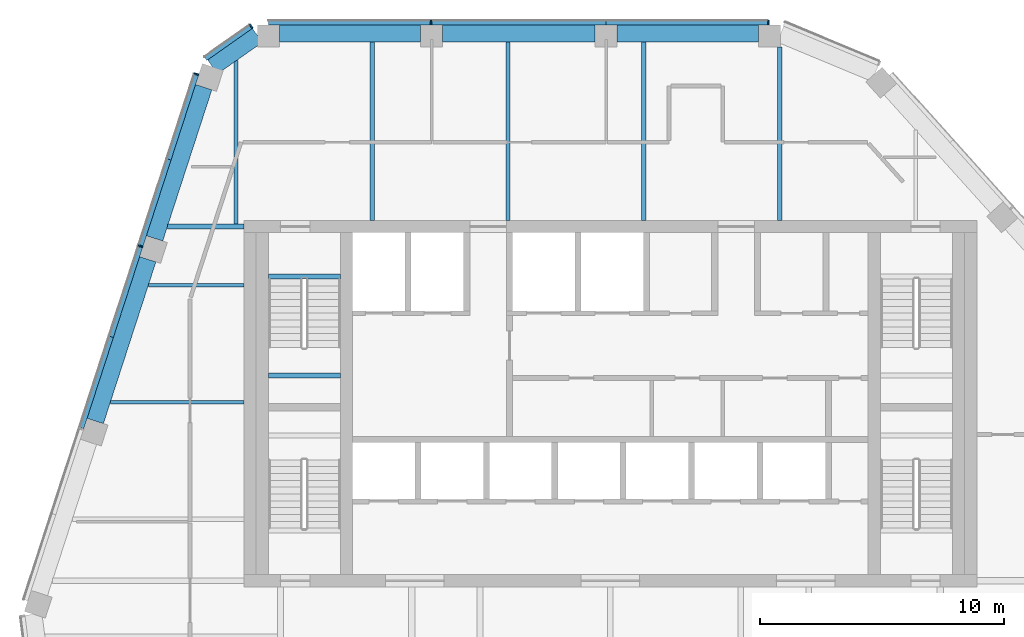
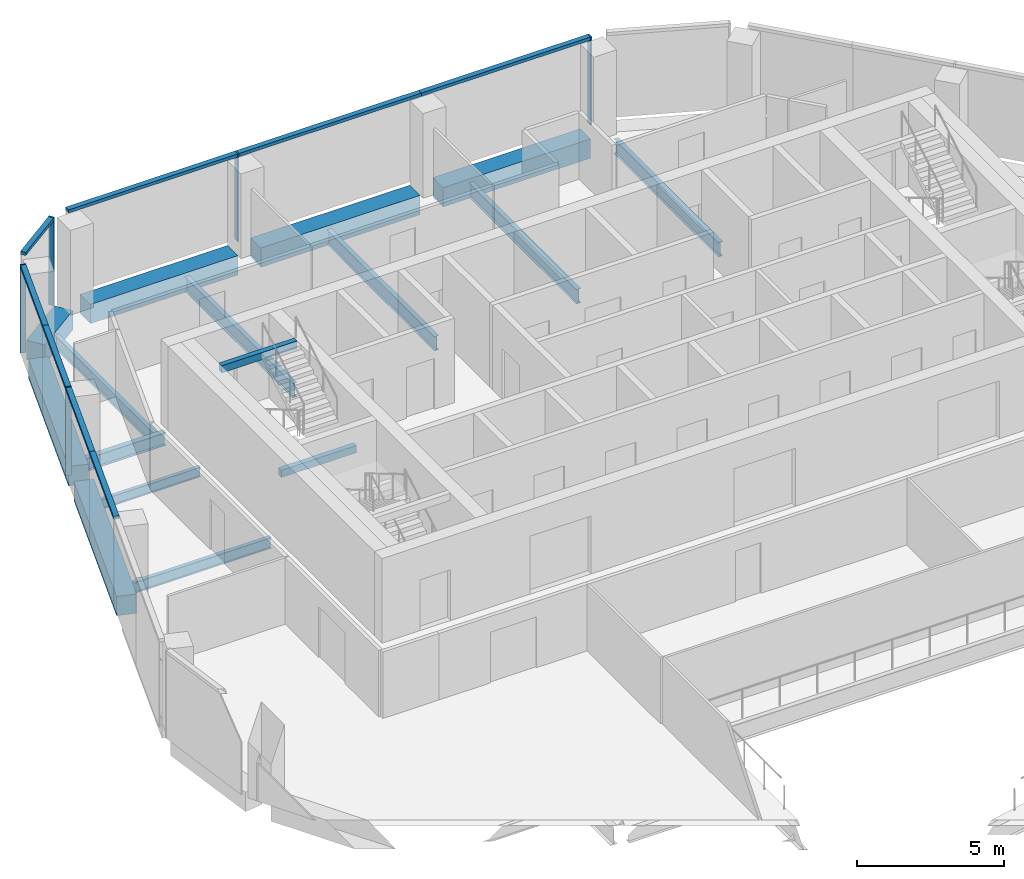
# One storey, part 5 of 15: 16 beams, 13 members, 3 elements without a shape of their own.
"""IFC4 building model written with IfcOpenShell, lengths in metres."""

import ifcopenshell
import ifcopenshell.guid

model = None  # the IFC model being written
_history = None  # IfcOwnerHistory: only IFC2X3 demands one
_inside = {}  # id of a spatial element -> (the spatial element, [elements in it])
_under = {}  # id of a project, library or spatial element -> (it, [spatial elements below it])
_declared = {}  # id of a project -> (the project, [libraries it declares])
_typed = {}  # id of a type object -> (the type object, [elements of that type])
_made_of = {}  # id of a material, layer set ... -> (it, [elements and type objects made of it])


def new_model(schema):
    """Start an empty IFC model of exactly this schema.

    Asked for "IFC4X3", IfcOpenShell would pick the latest addendum, in which some entities
    have other attributes; the version numbers below select the first issue.
    IFC2X3 requires an IfcOwnerHistory on every rooted entity: one is made here for all.
    """
    global model, _history
    if schema == "IFC4X3":
        model = ifcopenshell.file(schema_version=(4, 3, 0, 0))
    else:
        model = ifcopenshell.file(schema=schema)
    _inside.clear()
    _under.clear()
    _declared.clear()
    _typed.clear()
    _made_of.clear()
    _history = None
    if model.schema == "IFC2X3":
        org = make("IfcOrganization", Name="unknown")
        user = make(
            "IfcPersonAndOrganization",
            ThePerson=make("IfcPerson", FamilyName="unknown"),
            TheOrganization=org,
        )
        app = make(
            "IfcApplication",
            ApplicationDeveloper=org,
            Version="unknown",
            ApplicationFullName="unknown",
            ApplicationIdentifier="unknown",
        )
        _history = make(
            "IfcOwnerHistory",
            OwningUser=user,
            OwningApplication=app,
            ChangeAction="ADDED",
            CreationDate=0,
        )
    return model


def make(cls, **values):
    """One entity of the class cls with the attributes given. An attribute that is None is left unset."""
    return model.create_entity(
        cls, **{name: value for name, value in values.items() if value is not None}
    )


def rooted(cls, **values):
    """An entity with a GlobalId (a new one), such as an element, a storey or a relation."""
    return make(cls, GlobalId=ifcopenshell.guid.new(), OwnerHistory=_history, **values)


def si_unit(unit_type, name, prefix=None):
    """IfcSIUnit, for example si_unit("LENGTHUNIT", "METRE", prefix="MILLI")."""
    return make("IfcSIUnit", UnitType=unit_type, Prefix=prefix, Name=name)


def assignment(units):
    """IfcUnitAssignment: the units of a project."""
    return None if units is None else make("IfcUnitAssignment", Units=units)


def point(xyz):
    """IfcCartesianPoint."""
    return None if xyz is None else make("IfcCartesianPoint", Coordinates=xyz)


def direction(xyz):
    """IfcDirection."""
    return None if xyz is None else make("IfcDirection", DirectionRatios=xyz)


def frame(location, z_axis=None, x_axis=None):
    """IfcAxis2Placement3D, a coordinate frame: its origin and axes. An axis left out is left unset."""
    return make(
        "IfcAxis2Placement3D",
        Location=point(location),
        Axis=direction(z_axis),
        RefDirection=direction(x_axis),
    )


def frame_2d(location, x_axis=None):
    """IfcAxis2Placement2D, a coordinate frame in the plane: its origin and x axis."""
    return make(
        "IfcAxis2Placement2D", Location=point(location), RefDirection=direction(x_axis)
    )


def origin():
    """The frame at (0, 0, 0) with its axes left unset."""
    return frame((0.0, 0.0, 0.0))


def origin_2d():
    """The frame at (0, 0) in the plane with its x axis left unset."""
    return frame_2d((0.0, 0.0))


def place(relative_to, where):
    """IfcLocalPlacement: puts the frame where relative to a parent placement (None: the world)."""
    return make(
        "IfcLocalPlacement", PlacementRelTo=relative_to, RelativePlacement=where
    )


def context(
    kind, dimensions, precision=None, world=None, true_north=None, identifier=None
):
    """IfcGeometricRepresentationContext, for example the 3D "Model" context."""
    return make(
        "IfcGeometricRepresentationContext",
        ContextIdentifier=identifier,
        ContextType=kind,
        CoordinateSpaceDimension=dimensions,
        Precision=precision,
        WorldCoordinateSystem=world,
        TrueNorth=true_north,
    )


def subcontext(parent, identifier, kind, view, scale=None):
    """IfcGeometricRepresentationSubContext, for example "Body" below "Model"."""
    return make(
        "IfcGeometricRepresentationSubContext",
        ContextIdentifier=identifier,
        ContextType=kind,
        ParentContext=parent,
        TargetScale=scale,
        TargetView=view,
    )


def project(units=None, contexts=None):
    """IfcProject with its units and contexts."""
    return rooted(
        "IfcProject",
        Name="project",
        RepresentationContexts=contexts,
        UnitsInContext=assignment(units),
    )


def spatial(cls, under=None, at=None, **own):
    """A site, building, storey or space (cls), placed at a placement, below another one or the project."""
    s = rooted(cls, ObjectPlacement=at, **own)
    if under is not None:
        _under.setdefault(under.id(), (under, []))[1].append(s)
    return s


def profile(cls, at=None, kind="AREA", **sizes):
    """A parametric profile (cls). Its sizes go by their IFC names, for example OverallWidth=200.0."""
    return make(cls, ProfileType=kind, Position=at, **sizes)


def rectangle(**sizes):
    """IfcRectangleProfileDef."""
    return profile("IfcRectangleProfileDef", **sizes)


def i_section(**sizes):
    """IfcIShapeProfileDef."""
    return profile("IfcIShapeProfileDef", **sizes)


def extrude(swept, where, along, depth):
    """IfcExtrudedAreaSolid: the profile swept, set in the frame where, extruded along a direction by depth."""
    return make(
        "IfcExtrudedAreaSolid",
        SweptArea=swept,
        Position=where,
        ExtrudedDirection=direction(along),
        Depth=depth,
    )


def shape(context_of_items, identifier, shape_type, items):
    """IfcShapeRepresentation: the items that make up one representation, for example the "Body"."""
    return make(
        "IfcShapeRepresentation",
        ContextOfItems=context_of_items,
        RepresentationIdentifier=identifier,
        RepresentationType=shape_type,
        Items=items,
    )


def material(Name=None, Category=None):
    """IfcMaterial."""
    return make("IfcMaterial", Name=Name, Category=Category)


def layer(
    of_material, thickness, ventilated=None, Name=None, Category=None, Priority=None
):
    """IfcMaterialLayer: one layer of a wall or slab, of a material (None: an air gap)."""
    return make(
        "IfcMaterialLayer",
        Material=of_material,
        LayerThickness=thickness,
        IsVentilated=ventilated,
        Name=Name,
        Category=Category,
        Priority=Priority,
    )


def layer_set(layers, Name=None):
    """IfcMaterialLayerSet."""
    return make("IfcMaterialLayerSet", MaterialLayers=layers, LayerSetName=Name)


def material_profile(
    of_material, cross_section, Name=None, Category=None, Priority=None
):
    """IfcMaterialProfile: a cross section and its material."""
    return make(
        "IfcMaterialProfile",
        Name=Name,
        Material=of_material,
        Profile=cross_section,
        Priority=Priority,
        Category=Category,
    )


def profile_set(profiles, Name=None, composite=None):
    """IfcMaterialProfileSet."""
    return make(
        "IfcMaterialProfileSet",
        Name=Name,
        MaterialProfiles=profiles,
        CompositeProfile=composite,
    )


def made_of(thing, what):
    """Note that an element or type object is made of a material, layer set ...; save() writes the relation."""
    if what is not None:
        _made_of.setdefault(what.id(), (what, []))[1].append(thing)
    return thing


def type_object(cls, material=None, **own):
    """A type object (cls), such as IfcWallType, which elements share."""
    return made_of(rooted(cls, **own), material)


def element(
    cls,
    number,
    at=None,
    inside=None,
    cuts=None,
    type_object=None,
    material=None,
    context=None,
    identifier="Body",
    shape_type=None,
    held_by="IfcProductDefinitionShape",
    body=None,
    shapes=None,
    **own,
):
    """One element of the class cls, such as IfcWall. Its Tag is "e" and its number.

    at: its placement. inside: the storey or other place that contains it. cuts: it is an
    opening in that element (IfcRelVoidsElement). A single representation is given by context,
    identifier, shape_type and body (its items); several are given by shapes. held_by: the class
    of the entity that holds the representations. save() writes the other relations.
    """
    e = rooted(cls, Tag="e%d" % number, ObjectPlacement=at, **own)
    if body is not None:
        shapes = [shape(context, identifier, shape_type, body)]
    if shapes is not None:
        e.Representation = make(held_by, Representations=shapes)
    if inside is not None:
        _inside.setdefault(inside.id(), (inside, []))[1].append(e)
    if cuts is not None:
        rooted(
            "IfcRelVoidsElement", RelatingBuildingElement=cuts, RelatedOpeningElement=e
        )
    if type_object is not None:
        _typed.setdefault(type_object.id(), (type_object, []))[1].append(e)
    return made_of(e, material)


def aggregate(whole, parts):
    """IfcRelAggregates: a whole, such as a stair, and the parts it consists of."""
    return rooted("IfcRelAggregates", RelatingObject=whole, RelatedObjects=parts)


def save(model, path):
    """Write the relations noted so far, then the file.

    IfcRelAggregates (storeys below a building ...), IfcRelContainedInSpatialStructure (elements
    in a storey), IfcRelDefinesByType, IfcRelAssociatesMaterial and IfcRelDeclares: one each for
    every whole, place, type object, material and project.
    """
    for whole, parts in _under.values():
        aggregate(whole, parts)
    for where, things in _inside.values():
        rooted(
            "IfcRelContainedInSpatialStructure",
            RelatedElements=things,
            RelatingStructure=where,
        )
    for kind, things in _typed.values():
        rooted("IfcRelDefinesByType", RelatedObjects=things, RelatingType=kind)
    for what, things in _made_of.values():
        rooted("IfcRelAssociatesMaterial", RelatedObjects=things, RelatingMaterial=what)
    for by, libraries in _declared.values():
        rooted("IfcRelDeclares", RelatingContext=by, RelatedDefinitions=libraries)
    model.write(path)


model = new_model("IFC4")

# Units and contexts
model_context = context("Model", 3, precision=1e-05, world=origin(), true_north=direction((0.0, 1.0)))
body_context = subcontext(model_context, "Body", "Model", "MODEL_VIEW")
ifc_project = project(units=[si_unit("LENGTHUNIT", "METRE"), si_unit("AREAUNIT", "SQUARE_METRE"), si_unit("VOLUMEUNIT", "CUBIC_METRE"), si_unit("PLANEANGLEUNIT", "RADIAN"), si_unit("MASSUNIT", "GRAM", prefix="KILO")], contexts=[model_context])

# Site, building, storey
site_placement = place(None, origin())
site = spatial("IfcSite", under=ifc_project, at=site_placement, CompositionType="ELEMENT")
building_placement = place(site_placement, origin())
building = spatial("IfcBuilding", under=site, at=building_placement, Name="Isthmus Gate Tower", CompositionType="ELEMENT")
storey_placement = place(building_placement, frame((0.0, 0.0, 271.89990234375)))
storey = spatial("IfcBuildingStorey", under=building, at=storey_placement, Name="L69", CompositionType="ELEMENT", Elevation=271.89990234375)

# Curtain wall, members
ifc_material_1 = material(Name="Aluminium, pale champagne anodised", Category="aluminium")
ifc_layer = layer(ifc_material_1, 0.199951171875)
ifc_layer_set = layer_set([ifc_layer], Name="CW-1 UNITISED CURTAIN WALL 200 DEEP")
curtain_wall_type = type_object("IfcCurtainWallType", Name="CW-1 UNITISED CURTAIN WALL 200 DEEP", PredefinedType="NOTDEFINED", material=ifc_layer_set)
curtain_wall_1_placement = place(storey_placement, origin())
curtain_wall_1 = element("IfcCurtainWall", 1, at=curtain_wall_1_placement, inside=storey, type_object=curtain_wall_type, Name="CW-1 N L69", PredefinedType="NOTDEFINED")
ifc_material_2 = material(Name="Aluminium, pale champagne anodised", Category="aluminium")
ifc_material_profile_1 = material_profile(ifc_material_2, rectangle(XDim=0.06005859375, YDim=0.199951171875, at=origin_2d()), Name="60x200")
ifc_profile_set_1 = profile_set([ifc_material_profile_1], Name="Aluminium, pale champagne anodised")
member_type_1 = type_object("IfcMemberType", Name="CW-1 MULLION 60 X 200", PredefinedType="MULLION", material=ifc_profile_set_1)
member_1_placement = place(storey_placement, frame((6.4794921875, 23.10009765625, 0.0), z_axis=(0.0, 0.0, 1.0), x_axis=(-1.0, 0.0, 0.0)))
member_1 = element("IfcMember", 2, at=member_1_placement, type_object=member_type_1, Name="CW-1 mullion", PredefinedType="MULLION", context=body_context, shape_type="SweptSolid", body=[
    extrude(rectangle(XDim=0.06005859375, YDim=0.199951171875, at=origin_2d()), origin(), (0.0, 0.0, 1.0), 3.650146484375),
])
member_2_placement = place(storey_placement, frame((-7.339599609375, 23.10009765625, 0.0), z_axis=(0.0, 0.0, 1.0), x_axis=(-1.0, 0.0, 0.0)))
member_2 = element("IfcMember", 3, at=member_2_placement, type_object=member_type_1, Name="CW-1 mullion", PredefinedType="MULLION", context=body_context, shape_type="SweptSolid", body=[
    extrude(rectangle(XDim=0.06005859375, YDim=0.199951171875, at=origin_2d()), origin(), (0.0, 0.0, 1.0), 3.650146484375),
])

# Curtain wall, member
curtain_wall_2_placement = place(storey_placement, origin())
curtain_wall_2 = element("IfcCurtainWall", 4, at=curtain_wall_2_placement, inside=storey, type_object=curtain_wall_type, Name="CW-1 N-NW L69", PredefinedType="NOTDEFINED")
member_3_placement = place(storey_placement, frame((-14.69873046875, 22.943115234375, 0.0), z_axis=(0.0, 0.0, 1.0), x_axis=(-0.81785959165, -0.57541783805, 0.0)))
member_3 = element("IfcMember", 5, at=member_3_placement, type_object=member_type_1, Name="CW-1 mullion", PredefinedType="MULLION", context=body_context, shape_type="SweptSolid", body=[
    extrude(rectangle(XDim=0.06005859375, YDim=0.199951171875, at=origin_2d()), origin(), (0.0, 0.0, 1.0), 3.650146484375),
])

# Curtain wall, members
curtain_wall_3_placement = place(storey_placement, origin())
curtain_wall_3 = element("IfcCurtainWall", 6, at=curtain_wall_3_placement, inside=storey, type_object=curtain_wall_type, Name="CW-1 NW L69", PredefinedType="NOTDEFINED")
member_4_placement = place(storey_placement, frame((-16.9404296875, 20.9892578125, 0.0), z_axis=(0.0, 0.0, 1.0), x_axis=(-0.309016994375, -0.951056516295, 0.0)))
member_4 = element("IfcMember", 7, at=member_4_placement, type_object=member_type_1, Name="CW-1 mullion", PredefinedType="MULLION", context=body_context, shape_type="SweptSolid", body=[
    extrude(rectangle(XDim=0.06005859375, YDim=0.199951171875, at=origin_2d()), origin(), (0.0, 0.0, 1.0), 3.650146484375),
])
member_5_placement = place(storey_placement, frame((-19.229248046875, 13.945068359375, 0.0), z_axis=(0.0, 0.0, 1.0), x_axis=(-0.309016994375, -0.951056516295, 0.0)))
member_5 = element("IfcMember", 8, at=member_5_placement, type_object=member_type_1, Name="CW-1 mullion", PredefinedType="MULLION", context=body_context, shape_type="SweptSolid", body=[
    extrude(rectangle(XDim=0.06005859375, YDim=0.199951171875, at=origin_2d()), origin(), (0.0, 0.0, 1.0), 3.650146484375),
])

# Member
ifc_material_3 = material(Name="Aluminium, pale champagne anodised", Category="aluminium")
ifc_material_profile_2 = material_profile(ifc_material_3, rectangle(XDim=0.199951171875, YDim=0.1298828125, at=origin_2d()), Name="200x130")
ifc_profile_set_2 = profile_set([ifc_material_profile_2], Name="Aluminium, pale champagne anodised")
member_type_2 = type_object("IfcMemberType", Name="CW-1 TRANSOM 200 X 130", PredefinedType="USERDEFINED", material=ifc_profile_set_2)
member_6_placement = place(storey_placement, frame((6.449462890625, 23.10009765625, 3.585205078125), z_axis=(-1.0, 0.0, 0.0), x_axis=(0.0, -1.0, 0.0)))
member_6 = element("IfcMember", 9, at=member_6_placement, type_object=member_type_2, Name="CW-1 transom", ObjectType="TRANSOM", PredefinedType="USERDEFINED", context=body_context, shape_type="SweptSolid", body=[
    extrude(rectangle(XDim=0.199951171875, YDim=0.1298828125, at=origin_2d()), origin(), (0.0, 0.0, 1.0), 6.62451171875),
])

member_7_placement = place(storey_placement, frame((-0.175048828125, 23.10009765625, 3.585205078125), z_axis=(-1.0, 0.0, 0.0), x_axis=(0.0, -1.0, 0.0)))
member_7 = element("IfcMember", 10, at=member_7_placement, type_object=member_type_2, Name="CW-1 transom", ObjectType="TRANSOM", PredefinedType="USERDEFINED", context=body_context, shape_type="SweptSolid", body=[
    extrude(rectangle(XDim=0.199951171875, YDim=0.1298828125, at=origin_2d()), origin(), (0.0, 0.0, 1.0), 7.134521484375),
])

member_8_placement = place(storey_placement, frame((-7.36962890625, 23.10009765625, 3.585205078125), z_axis=(-1.0, 0.0, 0.0), x_axis=(0.0, -1.0, 0.0)))
member_8 = element("IfcMember", 11, at=member_8_placement, type_object=member_type_2, Name="CW-1 transom", ObjectType="TRANSOM", PredefinedType="USERDEFINED", context=body_context, shape_type="SweptSolid", body=[
    extrude(rectangle(XDim=0.199951171875, YDim=0.1298828125, at=origin_2d()), origin(), (0.0, 0.0, 1.0), 6.62451171875),
])

aggregate(curtain_wall_1, [member_1, member_6, member_7, member_2, member_8])

member_9_placement = place(storey_placement, frame((-14.723388671875, 22.92578125, 3.585205078125), z_axis=(-0.817868595604, -0.575405040233, 0.0), x_axis=(0.575405040233, -0.817868595604, 0.0)))
member_9 = element("IfcMember", 12, at=member_9_placement, type_object=member_type_2, Name="CW-1 transom", ObjectType="TRANSOM", PredefinedType="USERDEFINED", context=body_context, shape_type="SweptSolid", body=[
    extrude(rectangle(XDim=0.199951171875, YDim=0.1298828125, at=origin_2d()), origin(), (0.0, 0.0, 1.0), 2.258544921875),
])

aggregate(curtain_wall_2, [member_3, member_9])

member_10_placement = place(storey_placement, frame((-16.94970703125, 20.960693359375, 3.585205078125), z_axis=(-0.30904213216, -0.951048348166, 0.0), x_axis=(0.951048348166, -0.30904213216, 0.0)))
member_10 = element("IfcMember", 13, at=member_10_placement, type_object=member_type_2, Name="CW-1 transom", ObjectType="TRANSOM", PredefinedType="USERDEFINED", context=body_context, shape_type="SweptSolid", body=[
    extrude(rectangle(XDim=0.199951171875, YDim=0.1298828125, at=origin_2d()), origin(), (0.0, 0.0, 1.0), 3.6435546875),
])

member_11_placement = place(storey_placement, frame((-18.07568359375, 17.49560546875, 3.585205078125), z_axis=(-0.308999609488, -0.951062164812, 0.0), x_axis=(0.951062164812, -0.308999609488, 0.0)))
member_11 = element("IfcMember", 14, at=member_11_placement, type_object=member_type_2, Name="CW-1 transom", ObjectType="TRANSOM", PredefinedType="USERDEFINED", context=body_context, shape_type="SweptSolid", body=[
    extrude(rectangle(XDim=0.199951171875, YDim=0.1298828125, at=origin_2d()), origin(), (0.0, 0.0, 1.0), 3.703125),
])

member_12_placement = place(storey_placement, frame((-19.238525390625, 13.91650390625, 3.585205078125), z_axis=(-0.309061811928, -0.951041953022, 0.0), x_axis=(0.951041953022, -0.309061811928, 0.0)))
member_12 = element("IfcMember", 15, at=member_12_placement, type_object=member_type_2, Name="CW-1 transom", ObjectType="TRANSOM", PredefinedType="USERDEFINED", context=body_context, shape_type="SweptSolid", body=[
    extrude(rectangle(XDim=0.199951171875, YDim=0.1298828125, at=origin_2d()), origin(), (0.0, 0.0, 1.0), 3.868408203125),
])

member_13_placement = place(storey_placement, frame((-20.43408203125, 10.237548828125, 3.585205078125), z_axis=(-0.308984896154, -0.951066945041, 0.0), x_axis=(0.951066945041, -0.308984896154, 0.0)))
member_13 = element("IfcMember", 16, at=member_13_placement, type_object=member_type_2, Name="CW-1 transom", ObjectType="TRANSOM", PredefinedType="USERDEFINED", context=body_context, shape_type="SweptSolid", body=[
    extrude(rectangle(XDim=0.199951171875, YDim=0.1298828125, at=origin_2d()), origin(), (0.0, 0.0, 1.0), 3.928466796875),
])

aggregate(curtain_wall_3, [member_4, member_10, member_11, member_5, member_12, member_13])

# Beams
ifc_material_4 = material(Name="Concrete f'c 50 MPa", Category="concrete")
ifc_material_profile_3 = material_profile(ifc_material_4, rectangle(XDim=0.699951171875, YDim=0.800048828125, at=origin_2d()), Name="RC 700X800")
ifc_profile_set_3 = profile_set([ifc_material_profile_3], Name="Concrete f'c 50 MPa")
beam_type_1 = type_object("IfcBeamType", Name="RC SPANDREL 700 X 800", PredefinedType="SPANDREL", material=ifc_profile_set_3)
beam_1_placement = place(storey_placement, frame((-21.080810546875, 6.790283203125, -0.39990234375), z_axis=(0.309006716915, 0.951059855583, 0.0), x_axis=(-0.951059855583, 0.309006716915, 0.0)))
element("IfcBeam", 17, at=beam_1_placement, inside=storey, type_object=beam_type_1, Name="str-spandrel-L69-18", PredefinedType="SPANDREL", context=body_context, shape_type="SweptSolid", body=[
    extrude(rectangle(XDim=0.699951171875, YDim=0.800048828125, at=origin_2d()), origin(), (0.0, 0.0, 1.0), 6.956787109375),
])
beam_2_placement = place(storey_placement, frame((-18.653076171875, 14.262451171875, -0.39990234375), z_axis=(0.30901480678, 0.951057227085, 0.0), x_axis=(-0.951057227085, 0.30901480678, 0.0)))
element("IfcBeam", 18, at=beam_2_placement, inside=storey, type_object=beam_type_1, Name="str-spandrel-L69-19", PredefinedType="SPANDREL", context=body_context, shape_type="SweptSolid", body=[
    extrude(rectangle(XDim=0.699951171875, YDim=0.800048828125, at=origin_2d()), origin(), (0.0, 0.0, 1.0), 6.5068359375),
])
beam_3_placement = place(storey_placement, frame((-16.281005859375, 21.27978515625, -0.39990234375), z_axis=(0.817891678431, 0.57537222939, 0.0), x_axis=(-0.57537222939, 0.817891678431, 0.0)))
element("IfcBeam", 19, at=beam_3_placement, inside=storey, type_object=beam_type_1, Name="str-spandrel-L69-20", PredefinedType="SPANDREL", context=body_context, shape_type="SweptSolid", body=[
    extrude(rectangle(XDim=0.699951171875, YDim=0.800048828125, at=origin_2d()), origin(), (0.0, 0.0, 1.0), 2.245849609375),
])
beam_4_placement = place(storey_placement, frame((-13.544189453125, 22.64990234375, -0.39990234375), z_axis=(1.0, 0.0, 0.0), x_axis=(0.0, 1.0, 0.0)))
element("IfcBeam", 20, at=beam_4_placement, inside=storey, type_object=beam_type_1, Name="str-spandrel-L69-21", PredefinedType="SPANDREL", context=body_context, shape_type="SweptSolid", body=[
    extrude(rectangle(XDim=0.699951171875, YDim=0.800048828125, at=origin_2d()), origin(), (0.0, 0.0, 1.0), 5.78466796875),
])
beam_5_placement = place(storey_placement, frame((-6.859619140625, 22.64990234375, -0.39990234375), z_axis=(1.0, 0.0, 0.0), x_axis=(0.0, 1.0, 0.0)))
element("IfcBeam", 21, at=beam_5_placement, inside=storey, type_object=beam_type_1, Name="str-spandrel-L69-22", PredefinedType="SPANDREL", context=body_context, shape_type="SweptSolid", body=[
    extrude(rectangle(XDim=0.699951171875, YDim=0.800048828125, at=origin_2d()), origin(), (0.0, 0.0, 1.0), 6.234619140625),
])
beam_6_placement = place(storey_placement, frame((0.27490234375, 22.64990234375, -0.39990234375), z_axis=(1.0, 0.0, 0.0), x_axis=(0.0, 1.0, 0.0)))
element("IfcBeam", 22, at=beam_6_placement, inside=storey, type_object=beam_type_1, Name="str-spandrel-L69-23", PredefinedType="SPANDREL", context=body_context, shape_type="SweptSolid", body=[
    extrude(rectangle(XDim=0.699951171875, YDim=0.800048828125, at=origin_2d()), origin(), (0.0, 0.0, 1.0), 5.784423828125),
])
ifc_material_5 = material(Name="Concrete f'c 40 MPa", Category="concrete")
ifc_material_profile_4 = material_profile(ifc_material_5, rectangle(XDim=0.199951171875, YDim=0.300048828125, at=origin_2d()), Name="STAIR LANDING BEAM RC 200 X 300")
ifc_profile_set_4 = profile_set([ifc_material_profile_4], Name="Concrete f'c 40 MPa")
beam_type_2 = type_object("IfcBeamType", Name="STAIR LANDING BEAM RC 200 X 300", PredefinedType="BEAM", material=ifc_profile_set_4)
for number, where, z_axis, x_axis, name in (
    (23, (-14.0, 8.64990234375, 1.47509765625), (1.0, 0.0, 0.0), (0.0, 1.0, 0.0), "L69 ST1 landing beam 1"),
    (24, (-14.0, 12.7001953125, 3.35009765625), (1.0, 0.0, 0.0), (0.0, 1.0, 0.0), "L69 ST1 floor-edge seat beam"),
):
    element("IfcBeam", number, at=place(storey_placement, frame(where, z_axis=z_axis, x_axis=x_axis)), inside=storey, type_object=beam_type_2, Name=name, PredefinedType="BEAM", context=body_context, shape_type="SweptSolid", body=[
        extrude(rectangle(XDim=0.199951171875, YDim=0.300048828125, at=origin_2d()), origin(), (0.0, 0.0, 1.0), 2.949951171875),
    ])
ifc_material_6 = material(Name="Structural steel ASTM A992 Gr 50", Category="steel")
ifc_material_profile_5 = material_profile(ifc_material_6, i_section(OverallWidth=0.1396484375, OverallDepth=0.4033203125, WebThickness=0.00634765625, FlangeThickness=0.010986328125, at=origin_2d()), Name="W16X31")
ifc_profile_set_5 = profile_set([ifc_material_profile_5], Name="Structural steel ASTM A992 Gr 50")
beam_type_3 = type_object("IfcBeamType", Name="STEEL FLOOR BEAM W16X31", PredefinedType="JOIST", material=ifc_profile_set_5)
beam_7_placement = place(storey_placement, frame((-18.905517578125, 12.352294921875, -0.3515625), z_axis=(1.0, 0.0, 0.0), x_axis=(0.0, 1.0, 0.0)))
element("IfcBeam", 25, at=beam_7_placement, inside=storey, type_object=beam_type_3, Name="str-beam-L69-00-02", PredefinedType="JOIST", context=body_context, shape_type="SweptSolid", body=[
    extrude(i_section(OverallWidth=0.1396484375, OverallDepth=0.4033203125, WebThickness=0.00634765625, FlangeThickness=0.010986328125, at=origin_2d()), origin(), (0.0, 0.0, 1.0), 3.905517578125),
])
ifc_material_7 = material(Name="Structural steel ASTM A992 Gr 50", Category="steel")
ifc_material_profile_6 = material_profile(ifc_material_7, i_section(OverallWidth=0.15234375, OverallDepth=0.45068359375, WebThickness=0.0078125, FlangeThickness=0.010986328125, at=origin_2d()), Name="W18X35")
ifc_profile_set_6 = profile_set([ifc_material_profile_6], Name="Structural steel ASTM A992 Gr 50")
beam_type_4 = type_object("IfcBeamType", Name="STEEL FLOOR BEAM W18X35", PredefinedType="JOIST", material=ifc_profile_set_6)
beam_8_placement = place(storey_placement, frame((-20.463623046875, 7.55712890625, -0.375244140625), z_axis=(1.0, 0.0, 0.0), x_axis=(0.0, 1.0, 0.0)))
element("IfcBeam", 26, at=beam_8_placement, inside=storey, type_object=beam_type_4, Name="str-beam-L69-00-01", PredefinedType="JOIST", context=body_context, shape_type="SweptSolid", body=[
    extrude(i_section(OverallWidth=0.15234375, OverallDepth=0.45068359375, WebThickness=0.0078125, FlangeThickness=0.010986328125, at=origin_2d()), origin(), (0.0, 0.0, 1.0), 5.463623046875),
])
ifc_material_8 = material(Name="Structural steel ASTM A992 Gr 50", Category="steel")
ifc_material_profile_7 = material_profile(ifc_material_8, i_section(OverallWidth=0.1650390625, OverallDepth=0.52392578125, WebThickness=0.009521484375, FlangeThickness=0.010986328125, at=origin_2d()), Name="W21X44")
ifc_profile_set_7 = profile_set([ifc_material_profile_7], Name="Structural steel ASTM A992 Gr 50")
beam_type_5 = type_object("IfcBeamType", Name="STEEL FLOOR BEAM W21X44", PredefinedType="JOIST", material=ifc_profile_set_7)
beam_9_placement = place(storey_placement, frame((-15.311767578125, 14.854736328125, -0.411865234375), z_axis=(0.0, 1.0, 0.0), x_axis=(-1.0, 0.0, 0.0)))
element("IfcBeam", 27, at=beam_9_placement, inside=storey, type_object=beam_type_5, Name="str-beam-L69-07-00", PredefinedType="JOIST", context=body_context, shape_type="SweptSolid", body=[
    extrude(i_section(OverallWidth=0.1650390625, OverallDepth=0.52392578125, WebThickness=0.009521484375, FlangeThickness=0.010986328125, at=origin_2d()), origin(), (0.0, 0.0, 1.0), 6.678955078125),
])
ifc_material_9 = material(Name="Structural steel ASTM A992 Gr 50", Category="steel")
ifc_material_profile_8 = material_profile(ifc_material_9, i_section(OverallWidth=0.177734375, OverallDepth=0.60009765625, WebThickness=0.009521484375, FlangeThickness=0.0126953125, at=origin_2d()), Name="W24X55")
ifc_profile_set_8 = profile_set([ifc_material_profile_8], Name="Structural steel ASTM A992 Gr 50")
beam_type_6 = type_object("IfcBeamType", Name="STEEL FLOOR BEAM W24X55", PredefinedType="JOIST", material=ifc_profile_set_8)
for number, where, z_axis, x_axis, name in (
    (28, (-9.750244140625, 15.0, -0.449951171875), (0.0, 1.0, 0.0), (-1.0, 0.0, 0.0), "str-beam-L69-07-01"),
    (29, (-4.188720703125, 15.0, -0.449951171875), (0.0, 1.0, 0.0), (-1.0, 0.0, 0.0), "str-beam-L69-07-02"),
    (30, (1.372802734375, 15.0, -0.449951171875), (0.0, 1.0, 0.0), (-1.0, 0.0, 0.0), "str-beam-L69-07-03"),
):
    element("IfcBeam", number, at=place(storey_placement, frame(where, z_axis=z_axis, x_axis=x_axis)), inside=storey, type_object=beam_type_6, Name=name, PredefinedType="JOIST", context=body_context, shape_type="SweptSolid", body=[
        extrude(i_section(OverallWidth=0.177734375, OverallDepth=0.60009765625, WebThickness=0.009521484375, FlangeThickness=0.0126953125, at=origin_2d()), origin(), (0.0, 0.0, 1.0), 7.300048828125),
    ])
beam_10_placement = place(storey_placement, frame((6.93408203125, 15.0, -0.449951171875), z_axis=(0.0, 1.0, 0.0), x_axis=(-1.0, 0.0, 0.0)))
element("IfcBeam", 31, at=beam_10_placement, inside=storey, type_object=beam_type_6, Name="str-beam-L69-07-04", PredefinedType="JOIST", context=body_context, shape_type="SweptSolid", body=[
    extrude(i_section(OverallWidth=0.177734375, OverallDepth=0.60009765625, WebThickness=0.009521484375, FlangeThickness=0.0126953125, at=origin_2d()), origin(), (0.0, 0.0, 1.0), 7.10009765625),
])
ifc_material_10 = material(Name="Structural steel ASTM A992 Gr 50", Category="steel")
ifc_material_profile_9 = material_profile(ifc_material_10, i_section(OverallWidth=0.20947265625, OverallDepth=0.533447265625, WebThickness=0.009521484375, FlangeThickness=0.015869140625, at=origin_2d()), Name="W21X62")
ifc_profile_set_9 = profile_set([ifc_material_profile_9], Name="Structural steel ASTM A992 Gr 50")
beam_type_7 = type_object("IfcBeamType", Name="STEEL GIRDER W21X62", PredefinedType="BEAM", material=ifc_profile_set_9)
beam_11_placement = place(storey_placement, frame((-15.0, 14.75, -0.41650390625), z_axis=(-1.0, 0.0, 0.0), x_axis=(0.0, -1.0, 0.0)))
element("IfcBeam", 32, at=beam_11_placement, inside=storey, type_object=beam_type_7, Name="str-girder-L69-11", PredefinedType="BEAM", context=body_context, shape_type="SweptSolid", body=[
    extrude(i_section(OverallWidth=0.20947265625, OverallDepth=0.533447265625, WebThickness=0.009521484375, FlangeThickness=0.015869140625, at=origin_2d()), origin(), (0.0, 0.0, 1.0), 3.12646484375),
])

save(model, "model.ifc")
